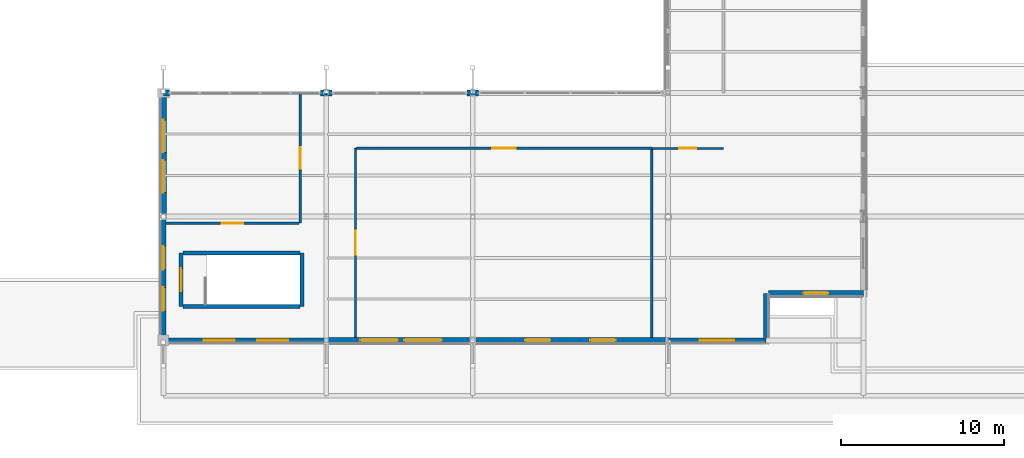
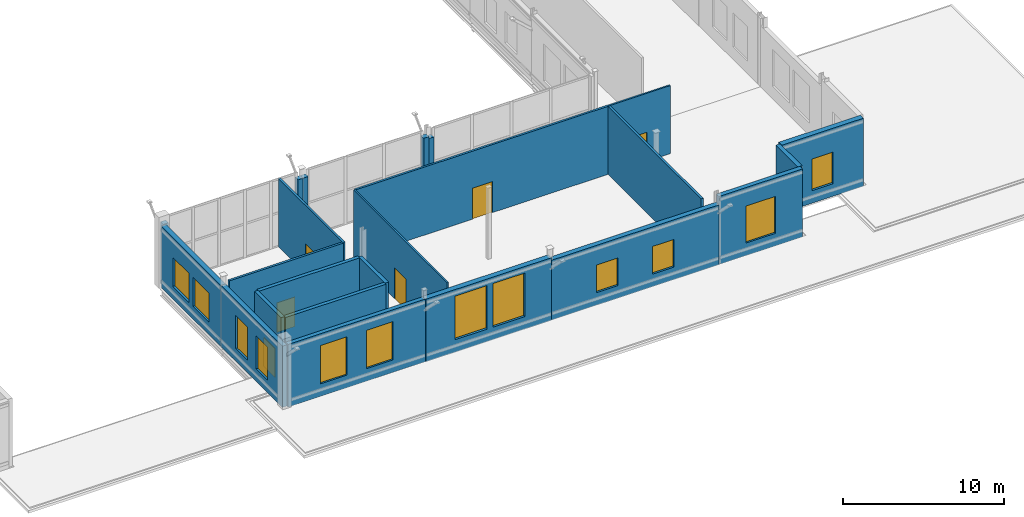
# One storey, part 124 of 147: 23 walls, 12 windows, 6 doors, 18 openings.
"""IFC4 building model written with IfcOpenShell, lengths in metres."""

from ifc_helpers import new_model, si_unit, direction, frame, frame_2d, origin, place, context, subcontext, project, spatial, rectangle, extrude, material, layer, layer_set, type_object, element, fill, save


model = new_model("IFC4")

# Units and contexts
model_context = context("Model", 3, precision=1e-05, world=origin(), true_north=direction((0.0, 1.0)))
body_context = subcontext(model_context, "Body", "Model", "MODEL_VIEW")
ifc_project = project(units=[si_unit("LENGTHUNIT", "METRE"), si_unit("AREAUNIT", "SQUARE_METRE"), si_unit("VOLUMEUNIT", "CUBIC_METRE"), si_unit("PLANEANGLEUNIT", "RADIAN"), si_unit("MASSUNIT", "GRAM", prefix="KILO")], contexts=[model_context])

# Site, building, storey
site_placement = place(None, origin())
site = spatial("IfcSite", under=ifc_project, at=site_placement, CompositionType="ELEMENT")
building_placement = place(site_placement, origin())
building = spatial("IfcBuilding", under=site, at=building_placement, Name="Vekula Escarpment Museum", CompositionType="ELEMENT")
storey_placement = place(building_placement, frame((0.0, 0.0, 7.800048828125)))
storey = spatial("IfcBuildingStorey", under=building, at=storey_placement, Name="L02", CompositionType="ELEMENT", Elevation=7.800048828125)

# Wall, openings, windows
ifc_material_1 = material(Name="Inkisi arkosic sandstone masonry", Category="masonry")
ifc_layer_1 = layer(ifc_material_1, 0.300048828125)
ifc_layer_set_1 = layer_set([ifc_layer_1], Name="Inkisi arkosic sandstone masonry")
wall_type_1 = type_object("IfcWallType", Name="WL-ALM-300", PredefinedType="SOLIDWALL", material=ifc_layer_set_1)
wall_1_placement = place(storey_placement, frame((146.0, 0.0, 0.0), z_axis=(0.0, 0.0, 1.0), x_axis=(-1.0, 0.0, 0.0)))
wall_1 = element("IfcWall", 1, at=wall_1_placement, inside=storey, type_object=wall_type_1, Name="Exterior Wall WL-EXT-L02-0375", PredefinedType="SOLIDWALL", context=body_context, shape_type="SweptSolid", body=[
    extrude(rectangle(XDim=9.8359375, YDim=0.300048828125, at=frame_2d((4.91796875, 0.0))), origin(), (0.0, 0.0, 1.0), 4.744873046875),
])
opening_1_placement = place(wall_1_placement, frame((2.32861328125, 0.0, 0.949951171875)))
opening_1 = element("IfcOpeningElement", 2, at=opening_1_placement, cuts=wall_1, Name="Opening WN-20", PredefinedType="OPENING", context=body_context, shape_type="SweptSolid", body=[
    extrude(rectangle(XDim=1.89990234375, YDim=2.89990234375, at=frame_2d((0.949951171875, 1.449951171875))), frame((0.0, 0.159912109375, 0.0), z_axis=(0.0, -1.0, 0.0), x_axis=(1.0, 0.0, 0.0)), (0.0, 0.0, 1.0), 0.320068359375),
])
opening_2_placement = place(wall_1_placement, frame((5.607421875, 0.0, 0.949951171875)))
opening_2 = element("IfcOpeningElement", 3, at=opening_2_placement, cuts=wall_1, Name="Opening WN-20", PredefinedType="OPENING", context=body_context, shape_type="SweptSolid", body=[
    extrude(rectangle(XDim=1.89990234375, YDim=2.89990234375, at=frame_2d((0.949951171875, 1.449951171875))), frame((0.0, 0.159912109375, 0.0), z_axis=(0.0, -1.0, 0.0), x_axis=(1.0, 0.0, 0.0)), (0.0, 0.0, 1.0), 0.320068359375),
])
ifc_material_2 = material(Name="Double solar-control low-E glass", Category="glass")
window_type_1 = type_object("IfcWindowType", Name="WN-GAL-19x29", PartitioningType="DOUBLE_PANEL_VERTICAL", PredefinedType="WINDOW", material=ifc_material_2)
window_1_placement = place(opening_1_placement, origin())
window_1 = element("IfcWindow", 4, at=window_1_placement, inside=storey, type_object=window_type_1, Name="Window L02-0162", OverallHeight=2.89990234375, OverallWidth=1.89990234375, PartitioningType="SINGLE_PANEL", PredefinedType="WINDOW", context=body_context, shape_type="SweptSolid", body=[
    extrude(rectangle(XDim=1.89990234375, YDim=2.89990234375, at=frame_2d((0.949951171875, 1.449951171875))), frame((0.0, 0.030029296875, 0.0), z_axis=(0.0, -1.0, 0.0), x_axis=(1.0, 0.0, 0.0)), (0.0, 0.0, 1.0), 0.06005859375),
])
fill(opening_1, window_1)
window_2_placement = place(opening_2_placement, origin())
window_2 = element("IfcWindow", 5, at=window_2_placement, inside=storey, type_object=window_type_1, Name="Window L02-0163", OverallHeight=2.89990234375, OverallWidth=1.89990234375, PartitioningType="SINGLE_PANEL", PredefinedType="WINDOW", context=body_context, shape_type="SweptSolid", body=[
    extrude(rectangle(XDim=1.89990234375, YDim=2.89990234375, at=frame_2d((0.949951171875, 1.449951171875))), frame((0.0, 0.030029296875, 0.0), z_axis=(0.0, -1.0, 0.0), x_axis=(1.0, 0.0, 0.0)), (0.0, 0.0, 1.0), 0.06005859375),
])
fill(opening_2, window_2)

# Wall
wall_2_placement = place(storey_placement, frame((173.0, 2.887939453125, 0.0), z_axis=(0.0, 0.0, 1.0), x_axis=(0.0, -1.0, 0.0)))
element("IfcWall", 6, at=wall_2_placement, inside=storey, type_object=wall_type_1, Name="Exterior Wall WL-EXT-L02-0379", PredefinedType="SOLIDWALL", context=body_context, shape_type="SweptSolid", body=[
    extrude(rectangle(XDim=2.723876953125, YDim=0.300048828125, at=frame_2d((1.36181640625, 0.0))), origin(), (0.0, 0.0, 1.0), 5.14990234375),
])

# Wall, openings, windows
ifc_material_3 = material(Name="Inkisi arkosic sandstone masonry", Category="masonry")
ifc_layer_2 = layer(ifc_material_3, 0.320068359375)
ifc_layer_set_2 = layer_set([ifc_layer_2], Name="Inkisi arkosic sandstone masonry")
wall_type_2 = type_object("IfcWallType", Name="WL-ALM-320", PredefinedType="SOLIDWALL", material=ifc_layer_set_2)
wall_3_placement = place(storey_placement, frame((136.0, 0.0, 0.0), z_axis=(0.0, 0.0, 1.0), x_axis=(0.0, 1.0, 0.0)))
wall_3 = element("IfcWall", 7, at=wall_3_placement, inside=storey, type_object=wall_type_2, Name="Exterior Wall WL-EXT-L02-0374", PredefinedType="SOLIDWALL", context=body_context, shape_type="SweptSolid", body=[
    extrude(rectangle(XDim=7.60009765625, YDim=0.320068359375, at=frame_2d((3.800048828125, 0.0))), origin(), (0.0, 0.0, 1.0), 4.635009765625),
])
opening_3_placement = place(wall_3_placement, frame((1.808349609375, 0.0, 0.949951171875)))
opening_3 = element("IfcOpeningElement", 8, at=opening_3_placement, cuts=wall_3, Name="Opening WN-18", PredefinedType="OPENING", context=body_context, shape_type="SweptSolid", body=[
    extrude(rectangle(XDim=1.449951171875, YDim=2.5, at=frame_2d((0.72509765625, 1.25))), frame((0.0, 0.169921875, 0.0), z_axis=(0.0, -1.0, 0.0), x_axis=(1.0, 0.0, 0.0)), (0.0, 0.0, 1.0), 0.340087890625),
])
opening_4_placement = place(wall_3_placement, frame((4.341796875, 0.0, 0.949951171875)))
opening_4 = element("IfcOpeningElement", 9, at=opening_4_placement, cuts=wall_3, Name="Opening WN-18", PredefinedType="OPENING", context=body_context, shape_type="SweptSolid", body=[
    extrude(rectangle(XDim=1.449951171875, YDim=2.5, at=frame_2d((0.72509765625, 1.25))), frame((0.0, 0.169921875, 0.0), z_axis=(0.0, -1.0, 0.0), x_axis=(1.0, 0.0, 0.0)), (0.0, 0.0, 1.0), 0.340087890625),
])
ifc_material_4 = material(Name="Double solar-control low-E glass", Category="glass")
window_type_2 = type_object("IfcWindowType", Name="WN-GAL-14x25", PartitioningType="SINGLE_PANEL", PredefinedType="WINDOW", material=ifc_material_4)
window_3_placement = place(opening_3_placement, origin())
window_3 = element("IfcWindow", 10, at=window_3_placement, inside=storey, type_object=window_type_2, Name="Window L02-0160", OverallHeight=2.5, OverallWidth=1.449951171875, PartitioningType="SINGLE_PANEL", PredefinedType="WINDOW", context=body_context, shape_type="SweptSolid", body=[
    extrude(rectangle(XDim=1.449951171875, YDim=2.5, at=frame_2d((0.72509765625, 1.25))), frame((0.0, 0.030029296875, 0.0), z_axis=(0.0, -1.0, 0.0), x_axis=(1.0, 0.0, 0.0)), (0.0, 0.0, 1.0), 0.06005859375),
])
fill(opening_3, window_3)
window_4_placement = place(opening_4_placement, origin())
window_4 = element("IfcWindow", 11, at=window_4_placement, inside=storey, type_object=window_type_2, Name="Window L02-0161", OverallHeight=2.5, OverallWidth=1.449951171875, PartitioningType="SINGLE_PANEL", PredefinedType="WINDOW", context=body_context, shape_type="SweptSolid", body=[
    extrude(rectangle(XDim=1.449951171875, YDim=2.5, at=frame_2d((0.72509765625, 1.25))), frame((0.0, 0.030029296875, 0.0), z_axis=(0.0, -1.0, 0.0), x_axis=(1.0, 0.0, 0.0)), (0.0, 0.0, 1.0), 0.06005859375),
])
fill(opening_4, window_4)

# Wall, opening, window
wall_4_placement = place(storey_placement, frame((173.0, 0.0, 0.0), z_axis=(0.0, 0.0, 1.0), x_axis=(-1.0, 0.0, 0.0)))
wall_4 = element("IfcWall", 12, at=wall_4_placement, inside=storey, type_object=wall_type_2, Name="Exterior Wall WL-EXT-L02-0378", PredefinedType="SOLIDWALL", context=body_context, shape_type="SweptSolid", body=[
    extrude(rectangle(XDim=6.0, YDim=0.320068359375, at=frame_2d((3.0, 0.0))), origin(), (0.0, 0.0, 1.0), 5.14990234375),
])
opening_5_placement = place(wall_4_placement, frame((1.949951171875, 0.0, 0.949951171875)))
opening_5 = element("IfcOpeningElement", 13, at=opening_5_placement, cuts=wall_4, Name="Opening WN-08", PredefinedType="OPENING", context=body_context, shape_type="SweptSolid", body=[
    extrude(rectangle(XDim=2.10009765625, YDim=2.800048828125, at=frame_2d((1.050048828125, 1.39990234375))), frame((0.0, 0.169921875, 0.0), z_axis=(0.0, -1.0, 0.0), x_axis=(1.0, 0.0, 0.0)), (0.0, 0.0, 1.0), 0.340087890625),
])
ifc_material_5 = material(Name="Double solar-control low-E glass", Category="glass")
window_type_3 = type_object("IfcWindowType", Name="WN-CUMBA-21x28", PartitioningType="DOUBLE_PANEL_VERTICAL", PredefinedType="WINDOW", material=ifc_material_5)
window_5_placement = place(opening_5_placement, origin())
window_5 = element("IfcWindow", 14, at=window_5_placement, inside=storey, type_object=window_type_3, Name="Window L02-0168", OverallHeight=2.800048828125, OverallWidth=2.10009765625, PartitioningType="SINGLE_PANEL", PredefinedType="WINDOW", context=body_context, shape_type="SweptSolid", body=[
    extrude(rectangle(XDim=2.10009765625, YDim=2.800048828125, at=frame_2d((1.050048828125, 1.39990234375))), frame((0.0, 0.030029296875, 0.0), z_axis=(0.0, -1.0, 0.0), x_axis=(1.0, 0.0, 0.0)), (0.0, 0.0, 1.0), 0.06005859375),
])
fill(opening_5, window_5)

# Walls
ifc_material_6 = material(Name="Inkisi arkosic sandstone masonry", Category="masonry")
ifc_layer_3 = layer(ifc_material_6, 0.35009765625)
ifc_layer_set_3 = layer_set([ifc_layer_3], Name="Inkisi arkosic sandstone masonry")
wall_type_3 = type_object("IfcWallType", Name="WL-ALM-350", PredefinedType="SOLIDWALL", material=ifc_layer_set_3)
wall_5_placement = place(storey_placement, frame((155.360107421875, 15.199951171875, 0.0), z_axis=(0.0, 0.0, 1.0), x_axis=(-1.0, 0.0, 0.0)))
element("IfcWall", 15, at=wall_5_placement, inside=storey, type_object=wall_type_3, Name="Facade Jamb Pier L02-0368B", PredefinedType="SOLIDWALL", context=body_context, shape_type="SweptSolid", body=[
    extrude(rectangle(XDim=0.360107421875, YDim=0.35009765625, at=frame_2d((0.18017578125, 0.0))), origin(), (0.0, 0.0, 1.0), 4.534912109375),
])
for number, where, z_axis, x_axis, name in (
    (16, (155.0, 15.199951171875, 0.0), (0.0, 0.0, 1.0), (-1.0, 0.0, 0.0), "Facade Jamb Pier L02-0369A"),
    (17, (146.360107421875, 15.199951171875, 0.0), (0.0, 0.0, 1.0), (-1.0, 0.0, 0.0), "Facade Jamb Pier L02-0370B"),
    (18, (146.0, 15.199951171875, 0.0), (0.0, 0.0, 1.0), (-1.0, 0.0, 0.0), "Facade Jamb Pier L02-0371A"),
    (19, (136.360107421875, 15.199951171875, 0.0), (0.0, 0.0, 1.0), (-1.0, 0.0, 0.0), "Facade Jamb Pier L02-0372B"),
):
    element("IfcWall", number, at=place(storey_placement, frame(where, z_axis=z_axis, x_axis=x_axis)), inside=storey, type_object=wall_type_3, Name=name, PredefinedType="SOLIDWALL", context=body_context, shape_type="SweptSolid", body=[
        extrude(rectangle(XDim=0.360107421875, YDim=0.35009765625, at=frame_2d((0.18017578125, 0.0))), origin(), (0.0, 0.0, 1.0), 4.68505859375),
    ])

# Wall, openings, windows
wall_6_placement = place(storey_placement, frame((136.0, 7.60009765625, 0.0), z_axis=(0.0, 0.0, 1.0), x_axis=(0.0, 1.0, 0.0)))
wall_6 = element("IfcWall", 20, at=wall_6_placement, inside=storey, type_object=wall_type_3, Name="Exterior Wall WL-EXT-L02-0373", PredefinedType="SOLIDWALL", context=body_context, shape_type="SweptSolid", body=[
    extrude(rectangle(XDim=7.4208984375, YDim=0.35009765625, at=frame_2d((3.71044921875, 0.0))), origin(), (0.0, 0.0, 1.0), 4.635009765625),
])
opening_6_placement = place(wall_6_placement, frame((1.4736328125, 0.0, 0.949951171875)))
opening_6 = element("IfcOpeningElement", 21, at=opening_6_placement, cuts=wall_6, Name="Opening WN-13", PredefinedType="OPENING", context=body_context, shape_type="SweptSolid", body=[
    extrude(rectangle(XDim=2.0, YDim=2.199951171875, at=frame_2d((1.0, 1.10009765625))), frame((0.0, 0.18505859375, 0.0), z_axis=(0.0, -1.0, 0.0), x_axis=(1.0, 0.0, 0.0)), (0.0, 0.0, 1.0), 0.3701171875),
])
opening_7_placement = place(wall_6_placement, frame((3.947265625, 0.0, 0.949951171875)))
opening_7 = element("IfcOpeningElement", 22, at=opening_7_placement, cuts=wall_6, Name="Opening WN-13", PredefinedType="OPENING", context=body_context, shape_type="SweptSolid", body=[
    extrude(rectangle(XDim=2.0, YDim=2.199951171875, at=frame_2d((1.0, 1.10009765625))), frame((0.0, 0.18505859375, 0.0), z_axis=(0.0, -1.0, 0.0), x_axis=(1.0, 0.0, 0.0)), (0.0, 0.0, 1.0), 0.3701171875),
])
ifc_material_7 = material(Name="Double solar-control low-E glass", Category="glass")
window_type_4 = type_object("IfcWindowType", Name="WN-SEMINAR-20x22", PartitioningType="DOUBLE_PANEL_VERTICAL", PredefinedType="WINDOW", material=ifc_material_7)
window_6_placement = place(opening_6_placement, origin())
window_6 = element("IfcWindow", 23, at=window_6_placement, inside=storey, type_object=window_type_4, Name="Window L02-0158", OverallHeight=2.199951171875, OverallWidth=2.0, PartitioningType="SINGLE_PANEL", PredefinedType="WINDOW", context=body_context, shape_type="SweptSolid", body=[
    extrude(rectangle(XDim=2.0, YDim=2.199951171875, at=frame_2d((1.0, 1.10009765625))), frame((0.0, 0.030029296875, 0.0), z_axis=(0.0, -1.0, 0.0), x_axis=(1.0, 0.0, 0.0)), (0.0, 0.0, 1.0), 0.06005859375),
])
fill(opening_6, window_6)
window_7_placement = place(opening_7_placement, origin())
window_7 = element("IfcWindow", 24, at=window_7_placement, inside=storey, type_object=window_type_4, Name="Window L02-0159", OverallHeight=2.199951171875, OverallWidth=2.0, PartitioningType="SINGLE_PANEL", PredefinedType="WINDOW", context=body_context, shape_type="SweptSolid", body=[
    extrude(rectangle(XDim=2.0, YDim=2.199951171875, at=frame_2d((1.0, 1.10009765625))), frame((0.0, 0.030029296875, 0.0), z_axis=(0.0, -1.0, 0.0), x_axis=(1.0, 0.0, 0.0)), (0.0, 0.0, 1.0), 0.06005859375),
])
fill(opening_7, window_7)

wall_7_placement = place(storey_placement, frame((167.0, 0.0, 0.0), z_axis=(0.0, 0.0, 1.0), x_axis=(-1.0, 0.0, 0.0)))
wall_7 = element("IfcWall", 25, at=wall_7_placement, inside=storey, type_object=wall_type_3, Name="Exterior Wall WL-EXT-L02-0377", PredefinedType="SOLIDWALL", context=body_context, shape_type="SweptSolid", body=[
    extrude(rectangle(XDim=12.0, YDim=0.35009765625, at=frame_2d((6.0, 0.0))), origin(), (0.0, 0.0, 1.0), 4.534912109375),
])
opening_8_placement = place(wall_7_placement, frame((3.22509765625, 0.0, 0.949951171875)))
opening_8 = element("IfcOpeningElement", 26, at=opening_8_placement, cuts=wall_7, Name="Opening WN-24", PredefinedType="OPENING", context=body_context, shape_type="SweptSolid", body=[
    extrude(rectangle(XDim=1.550048828125, YDim=2.10009765625, at=frame_2d((0.77490234375, 1.050048828125))), frame((0.0, 0.18505859375, 0.0), z_axis=(0.0, -1.0, 0.0), x_axis=(1.0, 0.0, 0.0)), (0.0, 0.0, 1.0), 0.3701171875),
])
opening_9_placement = place(wall_7_placement, frame((7.22509765625, 0.0, 0.949951171875)))
opening_9 = element("IfcOpeningElement", 27, at=opening_9_placement, cuts=wall_7, Name="Opening WN-24", PredefinedType="OPENING", context=body_context, shape_type="SweptSolid", body=[
    extrude(rectangle(XDim=1.550048828125, YDim=2.10009765625, at=frame_2d((0.77490234375, 1.050048828125))), frame((0.0, 0.18505859375, 0.0), z_axis=(0.0, -1.0, 0.0), x_axis=(1.0, 0.0, 0.0)), (0.0, 0.0, 1.0), 0.3701171875),
])
ifc_material_8 = material(Name="Double solar-control low-E glass", Category="glass")
window_type_5 = type_object("IfcWindowType", Name="WN-GAL-15x21", PartitioningType="SINGLE_PANEL", PredefinedType="WINDOW", material=ifc_material_8)
window_8_placement = place(opening_8_placement, origin())
window_8 = element("IfcWindow", 28, at=window_8_placement, inside=storey, type_object=window_type_5, Name="Window L02-0166", OverallHeight=2.10009765625, OverallWidth=1.550048828125, PartitioningType="SINGLE_PANEL", PredefinedType="WINDOW", context=body_context, shape_type="SweptSolid", body=[
    extrude(rectangle(XDim=1.550048828125, YDim=2.10009765625, at=frame_2d((0.77490234375, 1.050048828125))), frame((0.0, 0.030029296875, 0.0), z_axis=(0.0, -1.0, 0.0), x_axis=(1.0, 0.0, 0.0)), (0.0, 0.0, 1.0), 0.06005859375),
])
fill(opening_8, window_8)
window_9_placement = place(opening_9_placement, origin())
window_9 = element("IfcWindow", 29, at=window_9_placement, inside=storey, type_object=window_type_5, Name="Window L02-0167", OverallHeight=2.10009765625, OverallWidth=1.550048828125, PartitioningType="SINGLE_PANEL", PredefinedType="WINDOW", context=body_context, shape_type="SweptSolid", body=[
    extrude(rectangle(XDim=1.550048828125, YDim=2.10009765625, at=frame_2d((0.77490234375, 1.050048828125))), frame((0.0, 0.030029296875, 0.0), z_axis=(0.0, -1.0, 0.0), x_axis=(1.0, 0.0, 0.0)), (0.0, 0.0, 1.0), 0.06005859375),
])
fill(opening_9, window_9)

ifc_material_9 = material(Name="Inkisi arkosic sandstone masonry", Category="masonry")
ifc_layer_4 = layer(ifc_material_9, 0.3798828125)
ifc_layer_set_4 = layer_set([ifc_layer_4], Name="Inkisi arkosic sandstone masonry")
wall_type_4 = type_object("IfcWallType", Name="WL-ALM-380", PredefinedType="SOLIDWALL", material=ifc_layer_set_4)
wall_8_placement = place(storey_placement, frame((155.0, 0.0, 0.0), z_axis=(0.0, 0.0, 1.0), x_axis=(-1.0, 0.0, 0.0)))
wall_8 = element("IfcWall", 30, at=wall_8_placement, inside=storey, type_object=wall_type_4, Name="Exterior Wall WL-EXT-L02-0376", PredefinedType="SOLIDWALL", context=body_context, shape_type="SweptSolid", body=[
    extrude(rectangle(XDim=9.0, YDim=0.3798828125, at=frame_2d((4.5, 0.0))), origin(), (0.0, 0.0, 1.0), 4.744873046875),
])
opening_10_placement = place(wall_8_placement, frame((1.89990234375, 0.0, 0.949951171875)))
opening_10 = element("IfcOpeningElement", 31, at=opening_10_placement, cuts=wall_8, Name="Opening WN-22", PredefinedType="OPENING", context=body_context, shape_type="SweptSolid", body=[
    extrude(rectangle(XDim=2.300048828125, YDim=3.300048828125, at=frame_2d((1.14990234375, 1.64990234375))), frame((0.0, 0.199951171875, 0.0), z_axis=(0.0, -1.0, 0.0), x_axis=(1.0, 0.0, 0.0)), (0.0, 0.0, 1.0), 0.39990234375),
])
opening_11_placement = place(wall_8_placement, frame((4.60009765625, 0.0, 0.949951171875)))
opening_11 = element("IfcOpeningElement", 32, at=opening_11_placement, cuts=wall_8, Name="Opening WN-22", PredefinedType="OPENING", context=body_context, shape_type="SweptSolid", body=[
    extrude(rectangle(XDim=2.300048828125, YDim=3.300048828125, at=frame_2d((1.14990234375, 1.64990234375))), frame((0.0, 0.199951171875, 0.0), z_axis=(0.0, -1.0, 0.0), x_axis=(1.0, 0.0, 0.0)), (0.0, 0.0, 1.0), 0.39990234375),
])
ifc_material_10 = material(Name="Double solar-control low-E glass", Category="glass")
window_type_6 = type_object("IfcWindowType", Name="WN-GAL-23x33", PartitioningType="TRIPLE_PANEL_VERTICAL", PredefinedType="WINDOW", material=ifc_material_10)
window_10_placement = place(opening_10_placement, origin())
window_10 = element("IfcWindow", 33, at=window_10_placement, inside=storey, type_object=window_type_6, Name="Window L02-0164", OverallHeight=3.300048828125, OverallWidth=2.300048828125, PartitioningType="SINGLE_PANEL", PredefinedType="WINDOW", context=body_context, shape_type="SweptSolid", body=[
    extrude(rectangle(XDim=2.300048828125, YDim=3.300048828125, at=frame_2d((1.14990234375, 1.64990234375))), frame((0.0, 0.030029296875, 0.0), z_axis=(0.0, -1.0, 0.0), x_axis=(1.0, 0.0, 0.0)), (0.0, 0.0, 1.0), 0.06005859375),
])
fill(opening_10, window_10)
window_11_placement = place(opening_11_placement, origin())
window_11 = element("IfcWindow", 34, at=window_11_placement, inside=storey, type_object=window_type_6, Name="Window L02-0165", OverallHeight=3.300048828125, OverallWidth=2.300048828125, PartitioningType="SINGLE_PANEL", PredefinedType="WINDOW", context=body_context, shape_type="SweptSolid", body=[
    extrude(rectangle(XDim=2.300048828125, YDim=3.300048828125, at=frame_2d((1.14990234375, 1.64990234375))), frame((0.0, 0.030029296875, 0.0), z_axis=(0.0, -1.0, 0.0), x_axis=(1.0, 0.0, 0.0)), (0.0, 0.0, 1.0), 0.06005859375),
])
fill(opening_11, window_11)

# Wall, opening, window
wall_9_placement = place(storey_placement, frame((179.0, 2.887939453125, 0.0), z_axis=(0.0, 0.0, 1.0), x_axis=(-1.0, 0.0, 0.0)))
wall_9 = element("IfcWall", 35, at=wall_9_placement, inside=storey, type_object=wall_type_4, Name="Exterior Wall WL-EXT-L02-0380", PredefinedType="SOLIDWALL", context=body_context, shape_type="SweptSolid", body=[
    extrude(rectangle(XDim=5.845947265625, YDim=0.3798828125, at=frame_2d((2.9228515625, 0.0))), origin(), (0.0, 0.0, 1.0), 5.14990234375),
])
opening_12_placement = place(wall_9_placement, frame((2.173095703125, 0.0, 0.949951171875)))
opening_12 = element("IfcOpeningElement", 36, at=opening_12_placement, cuts=wall_9, Name="Opening WN-06", PredefinedType="OPENING", context=body_context, shape_type="SweptSolid", body=[
    extrude(rectangle(XDim=1.5, YDim=2.39990234375, at=frame_2d((0.75, 1.199951171875))), frame((0.0, 0.199951171875, 0.0), z_axis=(0.0, -1.0, 0.0), x_axis=(1.0, 0.0, 0.0)), (0.0, 0.0, 1.0), 0.39990234375),
])
ifc_material_11 = material(Name="Double solar-control low-E glass", Category="glass")
window_type_7 = type_object("IfcWindowType", Name="WN-CUMBA-15x24", PartitioningType="SINGLE_PANEL", PredefinedType="WINDOW", material=ifc_material_11)
window_12_placement = place(opening_12_placement, origin())
window_12 = element("IfcWindow", 37, at=window_12_placement, inside=storey, type_object=window_type_7, Name="Window L02-0169", OverallHeight=2.39990234375, OverallWidth=1.5, PartitioningType="SINGLE_PANEL", PredefinedType="WINDOW", context=body_context, shape_type="SweptSolid", body=[
    extrude(rectangle(XDim=1.5, YDim=2.39990234375, at=frame_2d((0.75, 1.199951171875))), frame((0.0, 0.030029296875, 0.0), z_axis=(0.0, -1.0, 0.0), x_axis=(1.0, 0.0, 0.0)), (0.0, 0.0, 1.0), 0.06005859375),
])
fill(opening_12, window_12)

# Wall, opening, door
ifc_material_12 = material(Name="Concrete C35/45", Category="concrete")
ifc_layer_5 = layer(ifc_material_12, 0.25)
ifc_layer_set_5 = layer_set([ifc_layer_5], Name="Concrete C35/45")
wall_type_5 = type_object("IfcWallType", Name="WL-CORE-250", PredefinedType="SHEAR", material=ifc_layer_set_5)
wall_10_placement = place(storey_placement, frame((137.074951171875, 2.074951171875, 0.0), z_axis=(0.0, 0.0, 1.0), x_axis=(0.0, 1.0, 0.0)))
wall_10 = element("IfcWall", 38, at=wall_10_placement, inside=storey, type_object=wall_type_5, Name="Stair Core Wall ST-06 L02 W", PredefinedType="SHEAR", context=body_context, shape_type="SweptSolid", body=[
    extrude(rectangle(XDim=3.2900390625, YDim=0.25, at=frame_2d((1.64501953125, 0.0))), origin(), (0.0, 0.0, 1.0), 5.14990234375),
])
opening_13_placement = place(wall_10_placement, frame((0.945068359375, 0.0, 0.0)))
opening_13 = element("IfcOpeningElement", 39, at=opening_13_placement, cuts=wall_10, Name="Opening DR-FD60", PredefinedType="OPENING", context=body_context, shape_type="SweptSolid", body=[
    extrude(rectangle(XDim=1.39990234375, YDim=2.199951171875, at=frame_2d((0.699951171875, 1.10009765625))), frame((0.0, 0.135009765625, 0.0), z_axis=(0.0, -1.0, 0.0), x_axis=(1.0, 0.0, 0.0)), (0.0, 0.0, 1.0), 0.27001953125),
])
ifc_material_13 = material(Name="Fire-rated steel stair door", Category="steel")
door_type_1 = type_object("IfcDoorType", Name="DR-STAIR-1400x2200", OperationType="NOTDEFINED", PredefinedType="DOOR", material=ifc_material_13)
door_1_placement = place(opening_13_placement, origin())
door_1 = element("IfcDoor", 40, at=door_1_placement, inside=storey, type_object=door_type_1, Name="Protected Exit Stair Door ST-06 L02", OperationType="SINGLE_SWING_LEFT", OverallHeight=2.199951171875, OverallWidth=1.39990234375, PredefinedType="DOOR", context=body_context, shape_type="SweptSolid", body=[
    extrude(rectangle(XDim=1.39990234375, YDim=2.199951171875, at=frame_2d((0.699951171875, 1.10009765625))), frame((0.0, 0.02490234375, 0.0), z_axis=(0.0, -1.0, 0.0), x_axis=(1.0, 0.0, 0.0)), (0.0, 0.0, 1.0), 0.050048828125),
])
fill(opening_13, door_1)

# Walls
wall_11_placement = place(storey_placement, frame((144.52490234375, 2.074951171875, 0.0), z_axis=(0.0, 0.0, 1.0), x_axis=(0.0, 1.0, 0.0)))
element("IfcWall", 41, at=wall_11_placement, inside=storey, type_object=wall_type_5, Name="Stair Core Wall ST-06 L02 E", PredefinedType="SHEAR", context=body_context, shape_type="SweptSolid", body=[
    extrude(rectangle(XDim=3.2900390625, YDim=0.25, at=frame_2d((1.64501953125, 0.0))), origin(), (0.0, 0.0, 1.0), 5.14990234375),
])
for number, where, z_axis, x_axis, name in (
    (42, (137.2041015625, 2.074951171875, 0.0), (0.0, 0.0, 1.0), (1.0, 0.0, 0.0), "Stair Core Wall ST-06 L02 S"),
    (43, (137.2041015625, 5.364990234375, 0.0), (0.0, 0.0, 1.0), (1.0, 0.0, 0.0), "Stair Core Wall ST-06 L02 N"),
):
    element("IfcWall", number, at=place(storey_placement, frame(where, z_axis=z_axis, x_axis=x_axis)), inside=storey, type_object=wall_type_5, Name=name, PredefinedType="SHEAR", context=body_context, shape_type="SweptSolid", body=[
        extrude(rectangle(XDim=7.19189453125, YDim=0.25, at=frame_2d((3.595947265625, 0.0))), origin(), (0.0, 0.0, 1.0), 5.14990234375),
    ])

# Wall, opening, door
ifc_material_14 = material(Name="Lightweight studio partition", Category="gypsum")
ifc_layer_6 = layer(ifc_material_14, 0.1201171875)
ifc_layer_set_6 = layer_set([ifc_layer_6], Name="Lightweight studio partition")
wall_type_6 = type_object("IfcWallType", Name="WL-PART-120", PredefinedType="PARTITIONING", material=ifc_layer_set_6)
wall_12_placement = place(storey_placement, frame((147.800048828125, 0.194091796875, 0.0), z_axis=(0.0, 0.0, 1.0), x_axis=(0.0, 1.0, 0.0)))
wall_12 = element("IfcWall", 44, at=wall_12_placement, inside=storey, type_object=wall_type_6, Name="Interior Partition WL-INT-L02-0075", PredefinedType="PARTITIONING", context=body_context, shape_type="SweptSolid", body=[
    extrude(rectangle(XDim=11.60595703125, YDim=0.1201171875, at=frame_2d((5.802978515625, 0.0))), origin(), (0.0, 0.0, 1.0), 5.14990234375),
])
opening_14_placement = place(wall_12_placement, frame((5.077880859375, 0.0, 0.0)))
opening_14 = element("IfcOpeningElement", 45, at=opening_14_placement, cuts=wall_12, Name="Opening DR-LB14", PredefinedType="OPENING", context=body_context, shape_type="SweptSolid", body=[
    extrude(rectangle(XDim=1.449951171875, YDim=2.35009765625, at=frame_2d((0.72509765625, 1.175048828125))), frame((0.0, 0.070068359375, 0.0), z_axis=(0.0, -1.0, 0.0), x_axis=(1.0, 0.0, 0.0)), (0.0, 0.0, 1.0), 0.14013671875),
])
ifc_material_15 = material(Name="Glazed timber library door", Category="wood")
door_type_2 = type_object("IfcDoorType", Name="DR-LIB-1450x2350", OperationType="NOTDEFINED", PredefinedType="DOOR", material=ifc_material_15)
door_2_placement = place(opening_14_placement, origin())
door_2 = element("IfcDoor", 46, at=door_2_placement, inside=storey, type_object=door_type_2, Name="Interior Door L02-066", OperationType="SINGLE_SWING_RIGHT", OverallHeight=2.35009765625, OverallWidth=1.449951171875, PredefinedType="DOOR", context=body_context, shape_type="SweptSolid", body=[
    extrude(rectangle(XDim=1.449951171875, YDim=2.35009765625, at=frame_2d((0.72509765625, 1.175048828125))), frame((0.0, 0.02490234375, 0.0), z_axis=(0.0, -1.0, 0.0), x_axis=(1.0, 0.0, 0.0)), (0.0, 0.0, 1.0), 0.050048828125),
])
fill(opening_14, door_2)

wall_13_placement = place(storey_placement, frame((166.0, 11.800048828125, 0.0), z_axis=(0.0, 0.0, 1.0), x_axis=(1.0, 0.0, 0.0)))
wall_13 = element("IfcWall", 47, at=wall_13_placement, inside=storey, type_object=wall_type_6, Name="Interior Partition WL-INT-L02-0078", PredefinedType="PARTITIONING", context=body_context, shape_type="SweptSolid", body=[
    extrude(rectangle(XDim=4.39990234375, YDim=0.1201171875, at=frame_2d((2.199951171875, 0.0))), origin(), (0.0, 0.0, 1.0), 5.14990234375),
])
opening_15_placement = place(wall_13_placement, frame((1.675048828125, 0.0, 0.0)))
opening_15 = element("IfcOpeningElement", 48, at=opening_15_placement, cuts=wall_13, Name="Opening DR-CR10", PredefinedType="OPENING", context=body_context, shape_type="SweptSolid", body=[
    extrude(rectangle(XDim=1.050048828125, YDim=2.199951171875, at=frame_2d((0.52490234375, 1.10009765625))), frame((0.0, 0.070068359375, 0.0), z_axis=(0.0, -1.0, 0.0), x_axis=(1.0, 0.0, 0.0)), (0.0, 0.0, 1.0), 0.14013671875),
])
ifc_material_16 = material(Name="Solid hardwood curatorial door", Category="wood")
door_type_3 = type_object("IfcDoorType", Name="DR-CUR-1050x2200", OperationType="NOTDEFINED", PredefinedType="DOOR", material=ifc_material_16)
door_3_placement = place(opening_15_placement, origin())
door_3 = element("IfcDoor", 49, at=door_3_placement, inside=storey, type_object=door_type_3, Name="Interior Door L02-069", OperationType="SINGLE_SWING_LEFT", OverallHeight=2.199951171875, OverallWidth=1.050048828125, PredefinedType="DOOR", context=body_context, shape_type="SweptSolid", body=[
    extrude(rectangle(XDim=1.050048828125, YDim=2.199951171875, at=frame_2d((0.52490234375, 1.10009765625))), frame((0.0, 0.02490234375, 0.0), z_axis=(0.0, -1.0, 0.0), x_axis=(1.0, 0.0, 0.0)), (0.0, 0.0, 1.0), 0.050048828125),
])
fill(opening_15, door_3)

ifc_material_17 = material(Name="Gypsum board dry-lined partition", Category="gypsum")
ifc_layer_7 = layer(ifc_material_17, 0.14990234375)
ifc_layer_set_7 = layer_set([ifc_layer_7], Name="Gypsum board dry-lined partition")
wall_type_7 = type_object("IfcWallType", Name="WL-PART-150", PredefinedType="PARTITIONING", material=ifc_layer_set_7)
wall_14_placement = place(storey_placement, frame((144.39990234375, 7.199951171875, 0.0), z_axis=(0.0, 0.0, 1.0), x_axis=(0.0, 1.0, 0.0)))
wall_14 = element("IfcWall", 50, at=wall_14_placement, inside=storey, type_object=wall_type_7, Name="Interior Partition WL-INT-L02-0074", PredefinedType="PARTITIONING", context=body_context, shape_type="SweptSolid", body=[
    extrude(rectangle(XDim=8.0, YDim=0.14990234375, at=frame_2d((4.0, 0.0))), origin(), (0.0, 0.0, 1.0), 5.14990234375),
])
opening_16_placement = place(wall_14_placement, frame((3.35009765625, 0.0, 0.0)))
opening_16 = element("IfcOpeningElement", 51, at=opening_16_placement, cuts=wall_14, Name="Opening DR-SM13", PredefinedType="OPENING", context=body_context, shape_type="SweptSolid", body=[
    extrude(rectangle(XDim=1.300048828125, YDim=2.25, at=frame_2d((0.64990234375, 1.125))), frame((0.0, 0.0849609375, 0.0), z_axis=(0.0, -1.0, 0.0), x_axis=(1.0, 0.0, 0.0)), (0.0, 0.0, 1.0), 0.169921875),
])
ifc_material_18 = material(Name="Acoustic seminar room door", Category="steel")
door_type_4 = type_object("IfcDoorType", Name="DR-SEM-1300x2250", OperationType="NOTDEFINED", PredefinedType="DOOR", material=ifc_material_18)
door_4_placement = place(opening_16_placement, origin())
door_4 = element("IfcDoor", 52, at=door_4_placement, inside=storey, type_object=door_type_4, Name="Interior Door L02-065", OperationType="SINGLE_SWING_LEFT", OverallHeight=2.25, OverallWidth=1.300048828125, PredefinedType="DOOR", context=body_context, shape_type="SweptSolid", body=[
    extrude(rectangle(XDim=1.300048828125, YDim=2.25, at=frame_2d((0.64990234375, 1.125))), frame((0.0, 0.02490234375, 0.0), z_axis=(0.0, -1.0, 0.0), x_axis=(1.0, 0.0, 0.0)), (0.0, 0.0, 1.0), 0.050048828125),
])
fill(opening_16, door_4)

wall_15_placement = place(storey_placement, frame((147.864013671875, 11.800048828125, 0.0), z_axis=(0.0, 0.0, 1.0), x_axis=(1.0, 0.0, 0.0)))
wall_15 = element("IfcWall", 53, at=wall_15_placement, inside=storey, type_object=wall_type_7, Name="Interior Partition WL-INT-L02-0077", PredefinedType="PARTITIONING", context=body_context, shape_type="SweptSolid", body=[
    extrude(rectangle(XDim=18.135986328125, YDim=0.14990234375, at=frame_2d((9.06787109375, 0.0))), origin(), (0.0, 0.0, 1.0), 5.14990234375),
])
opening_17_placement = place(wall_15_placement, frame((8.343017578125, 0.0, 0.0)))
opening_17 = element("IfcOpeningElement", 54, at=opening_17_placement, cuts=wall_15, Name="Opening DR-LB14", PredefinedType="OPENING", context=body_context, shape_type="SweptSolid", body=[
    extrude(rectangle(XDim=1.449951171875, YDim=2.35009765625, at=frame_2d((0.72509765625, 1.175048828125))), frame((0.0, 0.0849609375, 0.0), z_axis=(0.0, -1.0, 0.0), x_axis=(1.0, 0.0, 0.0)), (0.0, 0.0, 1.0), 0.169921875),
])
door_5_placement = place(opening_17_placement, origin())
door_5 = element("IfcDoor", 55, at=door_5_placement, inside=storey, type_object=door_type_2, Name="Interior Door L02-068", OperationType="SINGLE_SWING_RIGHT", OverallHeight=2.35009765625, OverallWidth=1.449951171875, PredefinedType="DOOR", context=body_context, shape_type="SweptSolid", body=[
    extrude(rectangle(XDim=1.449951171875, YDim=2.35009765625, at=frame_2d((0.72509765625, 1.175048828125))), frame((0.0, 0.02490234375, 0.0), z_axis=(0.0, -1.0, 0.0), x_axis=(1.0, 0.0, 0.0)), (0.0, 0.0, 1.0), 0.050048828125),
])
fill(opening_17, door_5)

ifc_material_19 = material(Name="Gypsum board gallery partition", Category="gypsum")
ifc_layer_8 = layer(ifc_material_19, 0.159912109375)
ifc_layer_set_8 = layer_set([ifc_layer_8], Name="Gypsum board gallery partition")
wall_type_8 = type_object("IfcWallType", Name="WL-PART-160", PredefinedType="PARTITIONING", material=ifc_layer_set_8)
wall_16_placement = place(storey_placement, frame((136.1640625, 7.199951171875, 0.0), z_axis=(0.0, 0.0, 1.0), x_axis=(1.0, 0.0, 0.0)))
wall_16 = element("IfcWall", 56, at=wall_16_placement, inside=storey, type_object=wall_type_8, Name="Interior Partition WL-INT-L02-0076", PredefinedType="PARTITIONING", context=body_context, shape_type="SweptSolid", body=[
    extrude(rectangle(XDim=8.156982421875, YDim=0.159912109375, at=frame_2d((4.07861328125, 0.0))), origin(), (0.0, 0.0, 1.0), 5.14990234375),
])
opening_18_placement = place(wall_16_placement, frame((3.428466796875, 0.0, 0.0)))
opening_18 = element("IfcOpeningElement", 57, at=opening_18_placement, cuts=wall_16, Name="Opening DR-SM13", PredefinedType="OPENING", context=body_context, shape_type="SweptSolid", body=[
    extrude(rectangle(XDim=1.300048828125, YDim=2.25, at=frame_2d((0.64990234375, 1.125))), frame((0.0, 0.08984375, 0.0), z_axis=(0.0, -1.0, 0.0), x_axis=(1.0, 0.0, 0.0)), (0.0, 0.0, 1.0), 0.179931640625),
])
door_6_placement = place(opening_18_placement, origin())
door_6 = element("IfcDoor", 58, at=door_6_placement, inside=storey, type_object=door_type_4, Name="Interior Door L02-067", OperationType="SINGLE_SWING_LEFT", OverallHeight=2.25, OverallWidth=1.300048828125, PredefinedType="DOOR", context=body_context, shape_type="SweptSolid", body=[
    extrude(rectangle(XDim=1.300048828125, YDim=2.25, at=frame_2d((0.64990234375, 1.125))), frame((0.0, 0.02490234375, 0.0), z_axis=(0.0, -1.0, 0.0), x_axis=(1.0, 0.0, 0.0)), (0.0, 0.0, 1.0), 0.050048828125),
])
fill(opening_18, door_6)

# Wall
wall_17_placement = place(storey_placement, frame((166.0, 0.178955078125, 0.0), z_axis=(0.0, 0.0, 1.0), x_axis=(0.0, 1.0, 0.0)))
element("IfcWall", 59, at=wall_17_placement, inside=storey, type_object=wall_type_8, Name="Interior Partition WL-INT-L02-0079", PredefinedType="PARTITIONING", context=body_context, shape_type="SweptSolid", body=[
    extrude(rectangle(XDim=11.5419921875, YDim=0.159912109375, at=frame_2d((5.77099609375, 0.0))), origin(), (0.0, 0.0, 1.0), 5.14990234375),
])

save(model, "model.ifc")
